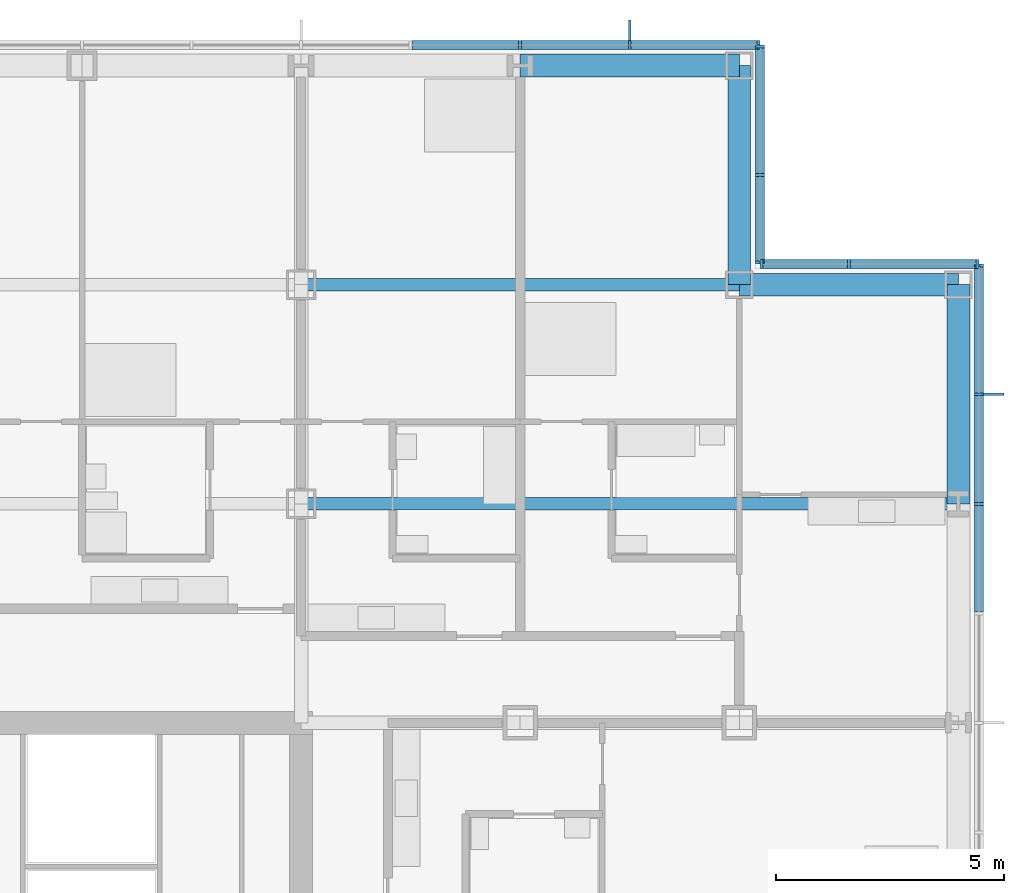
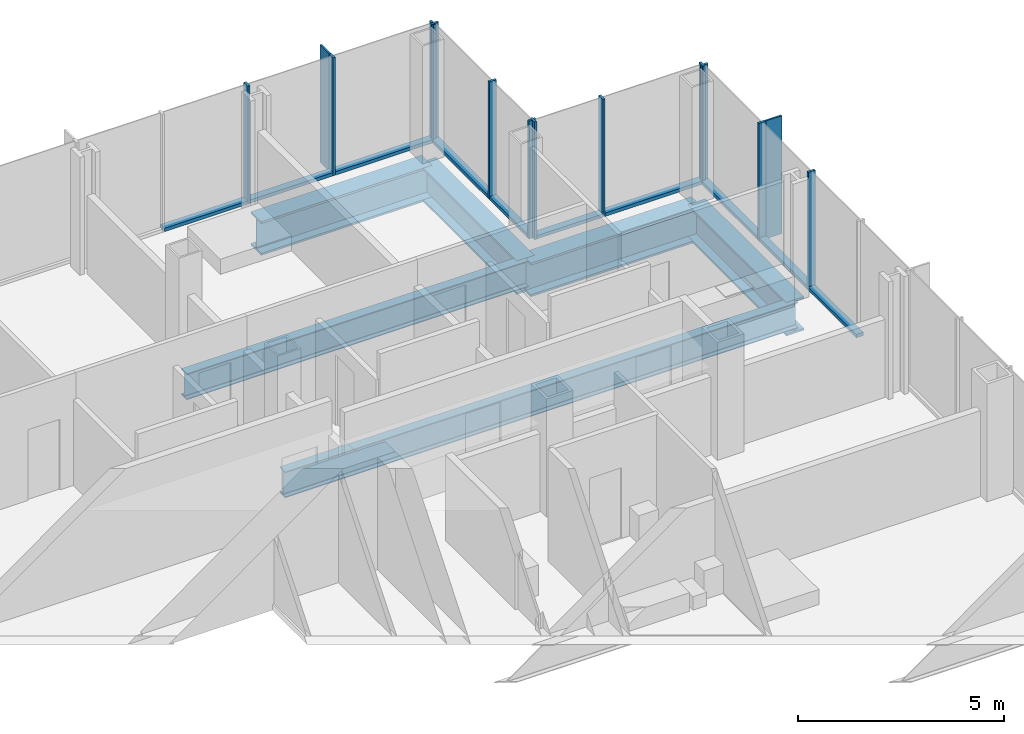
# One storey, part 11 of 21: 24 members, 6 beams, 4 elements without a shape of their own.
"""IFC4 building model written with IfcOpenShell, lengths in metres."""

import ifcopenshell
import ifcopenshell.guid

model = None  # the IFC model being written
_history = None  # IfcOwnerHistory: only IFC2X3 demands one
_inside = {}  # id of a spatial element -> (the spatial element, [elements in it])
_under = {}  # id of a project, library or spatial element -> (it, [spatial elements below it])
_declared = {}  # id of a project -> (the project, [libraries it declares])
_typed = {}  # id of a type object -> (the type object, [elements of that type])
_made_of = {}  # id of a material, layer set ... -> (it, [elements and type objects made of it])


def new_model(schema):
    """Start an empty IFC model of exactly this schema.

    Asked for "IFC4X3", IfcOpenShell would pick the latest addendum, in which some entities
    have other attributes; the version numbers below select the first issue.
    IFC2X3 requires an IfcOwnerHistory on every rooted entity: one is made here for all.
    """
    global model, _history
    if schema == "IFC4X3":
        model = ifcopenshell.file(schema_version=(4, 3, 0, 0))
    else:
        model = ifcopenshell.file(schema=schema)
    _inside.clear()
    _under.clear()
    _declared.clear()
    _typed.clear()
    _made_of.clear()
    _history = None
    if model.schema == "IFC2X3":
        org = make("IfcOrganization", Name="unknown")
        user = make(
            "IfcPersonAndOrganization",
            ThePerson=make("IfcPerson", FamilyName="unknown"),
            TheOrganization=org,
        )
        app = make(
            "IfcApplication",
            ApplicationDeveloper=org,
            Version="unknown",
            ApplicationFullName="unknown",
            ApplicationIdentifier="unknown",
        )
        _history = make(
            "IfcOwnerHistory",
            OwningUser=user,
            OwningApplication=app,
            ChangeAction="ADDED",
            CreationDate=0,
        )
    return model


def make(cls, **values):
    """One entity of the class cls with the attributes given. An attribute that is None is left unset."""
    return model.create_entity(
        cls, **{name: value for name, value in values.items() if value is not None}
    )


def rooted(cls, **values):
    """An entity with a GlobalId (a new one), such as an element, a storey or a relation."""
    return make(cls, GlobalId=ifcopenshell.guid.new(), OwnerHistory=_history, **values)


def si_unit(unit_type, name, prefix=None):
    """IfcSIUnit, for example si_unit("LENGTHUNIT", "METRE", prefix="MILLI")."""
    return make("IfcSIUnit", UnitType=unit_type, Prefix=prefix, Name=name)


def assignment(units):
    """IfcUnitAssignment: the units of a project."""
    return None if units is None else make("IfcUnitAssignment", Units=units)


def point(xyz):
    """IfcCartesianPoint."""
    return None if xyz is None else make("IfcCartesianPoint", Coordinates=xyz)


def direction(xyz):
    """IfcDirection."""
    return None if xyz is None else make("IfcDirection", DirectionRatios=xyz)


def frame(location, z_axis=None, x_axis=None):
    """IfcAxis2Placement3D, a coordinate frame: its origin and axes. An axis left out is left unset."""
    return make(
        "IfcAxis2Placement3D",
        Location=point(location),
        Axis=direction(z_axis),
        RefDirection=direction(x_axis),
    )


def frame_2d(location, x_axis=None):
    """IfcAxis2Placement2D, a coordinate frame in the plane: its origin and x axis."""
    return make(
        "IfcAxis2Placement2D", Location=point(location), RefDirection=direction(x_axis)
    )


def origin():
    """The frame at (0, 0, 0) with its axes left unset."""
    return frame((0.0, 0.0, 0.0))


def origin_2d():
    """The frame at (0, 0) in the plane with its x axis left unset."""
    return frame_2d((0.0, 0.0))


def place(relative_to, where):
    """IfcLocalPlacement: puts the frame where relative to a parent placement (None: the world)."""
    return make(
        "IfcLocalPlacement", PlacementRelTo=relative_to, RelativePlacement=where
    )


def context(
    kind, dimensions, precision=None, world=None, true_north=None, identifier=None
):
    """IfcGeometricRepresentationContext, for example the 3D "Model" context."""
    return make(
        "IfcGeometricRepresentationContext",
        ContextIdentifier=identifier,
        ContextType=kind,
        CoordinateSpaceDimension=dimensions,
        Precision=precision,
        WorldCoordinateSystem=world,
        TrueNorth=true_north,
    )


def subcontext(parent, identifier, kind, view, scale=None):
    """IfcGeometricRepresentationSubContext, for example "Body" below "Model"."""
    return make(
        "IfcGeometricRepresentationSubContext",
        ContextIdentifier=identifier,
        ContextType=kind,
        ParentContext=parent,
        TargetScale=scale,
        TargetView=view,
    )


def project(units=None, contexts=None):
    """IfcProject with its units and contexts."""
    return rooted(
        "IfcProject",
        Name="project",
        RepresentationContexts=contexts,
        UnitsInContext=assignment(units),
    )


def spatial(cls, under=None, at=None, **own):
    """A site, building, storey or space (cls), placed at a placement, below another one or the project."""
    s = rooted(cls, ObjectPlacement=at, **own)
    if under is not None:
        _under.setdefault(under.id(), (under, []))[1].append(s)
    return s


def profile(cls, at=None, kind="AREA", **sizes):
    """A parametric profile (cls). Its sizes go by their IFC names, for example OverallWidth=200.0."""
    return make(cls, ProfileType=kind, Position=at, **sizes)


def rectangle(**sizes):
    """IfcRectangleProfileDef."""
    return profile("IfcRectangleProfileDef", **sizes)


def i_section(**sizes):
    """IfcIShapeProfileDef."""
    return profile("IfcIShapeProfileDef", **sizes)


def extrude(swept, where, along, depth):
    """IfcExtrudedAreaSolid: the profile swept, set in the frame where, extruded along a direction by depth."""
    return make(
        "IfcExtrudedAreaSolid",
        SweptArea=swept,
        Position=where,
        ExtrudedDirection=direction(along),
        Depth=depth,
    )


def shape(context_of_items, identifier, shape_type, items):
    """IfcShapeRepresentation: the items that make up one representation, for example the "Body"."""
    return make(
        "IfcShapeRepresentation",
        ContextOfItems=context_of_items,
        RepresentationIdentifier=identifier,
        RepresentationType=shape_type,
        Items=items,
    )


def material(Name=None, Category=None):
    """IfcMaterial."""
    return make("IfcMaterial", Name=Name, Category=Category)


def material_profile(
    of_material, cross_section, Name=None, Category=None, Priority=None
):
    """IfcMaterialProfile: a cross section and its material."""
    return make(
        "IfcMaterialProfile",
        Name=Name,
        Material=of_material,
        Profile=cross_section,
        Priority=Priority,
        Category=Category,
    )


def profile_set(profiles, Name=None, composite=None):
    """IfcMaterialProfileSet."""
    return make(
        "IfcMaterialProfileSet",
        Name=Name,
        MaterialProfiles=profiles,
        CompositeProfile=composite,
    )


def made_of(thing, what):
    """Note that an element or type object is made of a material, layer set ...; save() writes the relation."""
    if what is not None:
        _made_of.setdefault(what.id(), (what, []))[1].append(thing)
    return thing


def type_object(cls, material=None, **own):
    """A type object (cls), such as IfcWallType, which elements share."""
    return made_of(rooted(cls, **own), material)


def element(
    cls,
    number,
    at=None,
    inside=None,
    cuts=None,
    type_object=None,
    material=None,
    context=None,
    identifier="Body",
    shape_type=None,
    held_by="IfcProductDefinitionShape",
    body=None,
    shapes=None,
    **own,
):
    """One element of the class cls, such as IfcWall. Its Tag is "e" and its number.

    at: its placement. inside: the storey or other place that contains it. cuts: it is an
    opening in that element (IfcRelVoidsElement). A single representation is given by context,
    identifier, shape_type and body (its items); several are given by shapes. held_by: the class
    of the entity that holds the representations. save() writes the other relations.
    """
    e = rooted(cls, Tag="e%d" % number, ObjectPlacement=at, **own)
    if body is not None:
        shapes = [shape(context, identifier, shape_type, body)]
    if shapes is not None:
        e.Representation = make(held_by, Representations=shapes)
    if inside is not None:
        _inside.setdefault(inside.id(), (inside, []))[1].append(e)
    if cuts is not None:
        rooted(
            "IfcRelVoidsElement", RelatingBuildingElement=cuts, RelatedOpeningElement=e
        )
    if type_object is not None:
        _typed.setdefault(type_object.id(), (type_object, []))[1].append(e)
    return made_of(e, material)


def aggregate(whole, parts):
    """IfcRelAggregates: a whole, such as a stair, and the parts it consists of."""
    return rooted("IfcRelAggregates", RelatingObject=whole, RelatedObjects=parts)


def save(model, path):
    """Write the relations noted so far, then the file.

    IfcRelAggregates (storeys below a building ...), IfcRelContainedInSpatialStructure (elements
    in a storey), IfcRelDefinesByType, IfcRelAssociatesMaterial and IfcRelDeclares: one each for
    every whole, place, type object, material and project.
    """
    for whole, parts in _under.values():
        aggregate(whole, parts)
    for where, things in _inside.values():
        rooted(
            "IfcRelContainedInSpatialStructure",
            RelatedElements=things,
            RelatingStructure=where,
        )
    for kind, things in _typed.values():
        rooted("IfcRelDefinesByType", RelatedObjects=things, RelatingType=kind)
    for what, things in _made_of.values():
        rooted("IfcRelAssociatesMaterial", RelatedObjects=things, RelatingMaterial=what)
    for by, libraries in _declared.values():
        rooted("IfcRelDeclares", RelatingContext=by, RelatedDefinitions=libraries)
    model.write(path)


model = new_model("IFC4")

# Units and contexts
model_context = context("Model", 3, precision=1e-05, world=origin(), true_north=direction((0.0, 1.0)))
body_context = subcontext(model_context, "Body", "Model", "MODEL_VIEW")
ifc_project = project(units=[si_unit("LENGTHUNIT", "METRE"), si_unit("AREAUNIT", "SQUARE_METRE"), si_unit("VOLUMEUNIT", "CUBIC_METRE"), si_unit("PLANEANGLEUNIT", "RADIAN"), si_unit("MASSUNIT", "GRAM", prefix="KILO")], contexts=[model_context])

# Site, building, storey
site_placement = place(None, origin())
site = spatial("IfcSite", under=ifc_project, at=site_placement, CompositionType="ELEMENT")
building_placement = place(site_placement, origin())
building = spatial("IfcBuilding", under=site, at=building_placement, Name="Kvirike Care Tower", CompositionType="ELEMENT")
storey_placement = place(building_placement, frame((0.0, 0.0, 37.5)))
storey = spatial("IfcBuildingStorey", under=building, at=storey_placement, Name="L09", CompositionType="ELEMENT", Elevation=37.5)

# Curtain wall, member
ifc_material_1 = material(Name="Anodised aluminium stick system", Category="aluminium")
curtain_wall_type = type_object("IfcCurtainWallType", Name="CW-A STICK CURTAIN WALL", PredefinedType="NOTDEFINED", material=ifc_material_1)
curtain_wall_1_placement = place(storey_placement, origin())
curtain_wall_1 = element("IfcCurtainWall", 1, at=curtain_wall_1_placement, inside=storey, type_object=curtain_wall_type, Name="Curtain wall L09 face 7", PredefinedType="NOTDEFINED")
ifc_material_2 = material(Name="Bronze anodised aluminium fin", Category="aluminium")
ifc_material_profile_1 = material_profile(ifc_material_2, rectangle(XDim=0.050048828125, YDim=0.449951171875, at=origin_2d()), Name="BRONZE FIN 450")
ifc_profile_set_1 = profile_set([ifc_material_profile_1], Name="Bronze anodised aluminium fin")
member_type_1 = type_object("IfcMemberType", Name="BRONZE FIN 450", PredefinedType="USERDEFINED", material=ifc_profile_set_1)
member_1_placement = place(storey_placement, frame((43.97509765625, 50.39990234375, 0.0), z_axis=(0.0, 0.0, 1.0), x_axis=(0.0, 1.0, 0.0)))
member_1 = element("IfcMember", 2, at=member_1_placement, type_object=member_type_1, Name="Bronze fin L09 face 7.14", ObjectType="FIN", PredefinedType="USERDEFINED", context=body_context, shape_type="SweptSolid", body=[
    extrude(rectangle(XDim=0.050048828125, YDim=0.449951171875, at=origin_2d()), origin(), (0.0, 0.0, 1.0), 3.5),
])

curtain_wall_2_placement = place(storey_placement, origin())
curtain_wall_2 = element("IfcCurtainWall", 3, at=curtain_wall_2_placement, inside=storey, type_object=curtain_wall_type, Name="Curtain wall L09 face 10", PredefinedType="NOTDEFINED")
member_2_placement = place(storey_placement, frame((36.0, 58.375, 0.0), z_axis=(0.0, 0.0, 1.0), x_axis=(-1.0, 0.0, 0.0)))
member_2 = element("IfcMember", 4, at=member_2_placement, type_object=member_type_1, Name="Bronze fin L09 face 10.2", ObjectType="FIN", PredefinedType="USERDEFINED", context=body_context, shape_type="SweptSolid", body=[
    extrude(rectangle(XDim=0.050048828125, YDim=0.449951171875, at=origin_2d()), origin(), (0.0, 0.0, 1.0), 3.5),
])

# Member
ifc_material_3 = material(Name="Bronze anodised aluminium mullion", Category="aluminium")
ifc_material_profile_2 = material_profile(ifc_material_3, rectangle(XDim=0.06494140625, YDim=0.199951171875, at=origin_2d()), Name="CW-A MULLION 65x200")
ifc_profile_set_2 = profile_set([ifc_material_profile_2], Name="Bronze anodised aluminium mullion")
member_type_2 = type_object("IfcMemberType", Name="CW-A MULLION 65x200", PredefinedType="MULLION", material=ifc_profile_set_2)
member_3_placement = place(storey_placement, frame((43.64990234375, 48.0, 0.0), z_axis=(0.0, 0.0, 1.0), x_axis=(0.0, 1.0, 0.0)))
member_3 = element("IfcMember", 5, at=member_3_placement, type_object=member_type_2, Name="CW-A mullion L09 face 7.13", PredefinedType="MULLION", context=body_context, shape_type="SweptSolid", body=[
    extrude(rectangle(XDim=0.06494140625, YDim=0.199951171875, at=origin_2d()), origin(), (0.0, 0.0, 1.0), 3.5),
])

member_4_placement = place(storey_placement, frame((43.64990234375, 50.39990234375, 0.0), z_axis=(0.0, 0.0, 1.0), x_axis=(0.0, 1.0, 0.0)))
member_4 = element("IfcMember", 6, at=member_4_placement, type_object=member_type_2, Name="CW-A mullion L09 face 7.14", PredefinedType="MULLION", context=body_context, shape_type="SweptSolid", body=[
    extrude(rectangle(XDim=0.06494140625, YDim=0.199951171875, at=origin_2d()), origin(), (0.0, 0.0, 1.0), 3.5),
])

member_5_placement = place(storey_placement, frame((43.64990234375, 53.217529296875, 0.0), z_axis=(0.0, 0.0, 1.0), x_axis=(0.0, 1.0, 0.0)))
member_5 = element("IfcMember", 7, at=member_5_placement, type_object=member_type_2, Name="CW-A mullion L09 face 7.15", PredefinedType="MULLION", context=body_context, shape_type="SweptSolid", body=[
    extrude(rectangle(XDim=0.06494140625, YDim=0.199951171875, at=origin_2d()), origin(), (0.0, 0.0, 1.0), 3.5),
])

# Curtain wall, members
curtain_wall_3_placement = place(storey_placement, origin())
curtain_wall_3 = element("IfcCurtainWall", 8, at=curtain_wall_3_placement, inside=storey, type_object=curtain_wall_type, Name="Curtain wall L09 face 8", PredefinedType="NOTDEFINED")
member_6_placement = place(storey_placement, frame((43.617431640625, 53.25, 0.0), z_axis=(0.0, 0.0, 1.0), x_axis=(-1.0, 0.0, 0.0)))
member_6 = element("IfcMember", 9, at=member_6_placement, type_object=member_type_2, Name="CW-A mullion L09 face 8.1", PredefinedType="MULLION", context=body_context, shape_type="SweptSolid", body=[
    extrude(rectangle(XDim=0.06494140625, YDim=0.199951171875, at=origin_2d()), origin(), (0.0, 0.0, 1.0), 3.5),
])
member_7_placement = place(storey_placement, frame((40.800048828125, 53.25, 0.0), z_axis=(0.0, 0.0, 1.0), x_axis=(-1.0, 0.0, 0.0)))
member_7 = element("IfcMember", 10, at=member_7_placement, type_object=member_type_2, Name="CW-A mullion L09 face 8.2", PredefinedType="MULLION", context=body_context, shape_type="SweptSolid", body=[
    extrude(rectangle(XDim=0.06494140625, YDim=0.199951171875, at=origin_2d()), origin(), (0.0, 0.0, 1.0), 3.5),
])
member_8_placement = place(storey_placement, frame((38.882568359375, 53.25, 0.0), z_axis=(0.0, 0.0, 1.0), x_axis=(-1.0, 0.0, 0.0)))
member_8 = element("IfcMember", 11, at=member_8_placement, type_object=member_type_2, Name="CW-A mullion L09 face 8.3", PredefinedType="MULLION", context=body_context, shape_type="SweptSolid", body=[
    extrude(rectangle(XDim=0.06494140625, YDim=0.199951171875, at=origin_2d()), origin(), (0.0, 0.0, 1.0), 3.5),
])

curtain_wall_4_placement = place(storey_placement, origin())
curtain_wall_4 = element("IfcCurtainWall", 12, at=curtain_wall_4_placement, inside=storey, type_object=curtain_wall_type, Name="Curtain wall L09 face 9", PredefinedType="NOTDEFINED")
member_9_placement = place(storey_placement, frame((38.85009765625, 53.282470703125, 0.0), z_axis=(0.0, 0.0, 1.0), x_axis=(0.0, 1.0, 0.0)))
member_9 = element("IfcMember", 13, at=member_9_placement, type_object=member_type_2, Name="CW-A mullion L09 face 9.1", PredefinedType="MULLION", context=body_context, shape_type="SweptSolid", body=[
    extrude(rectangle(XDim=0.06494140625, YDim=0.199951171875, at=origin_2d()), origin(), (0.0, 0.0, 1.0), 3.5),
])
member_10_placement = place(storey_placement, frame((38.85009765625, 55.199951171875, 0.0), z_axis=(0.0, 0.0, 1.0), x_axis=(0.0, 1.0, 0.0)))
member_10 = element("IfcMember", 14, at=member_10_placement, type_object=member_type_2, Name="CW-A mullion L09 face 9.2", PredefinedType="MULLION", context=body_context, shape_type="SweptSolid", body=[
    extrude(rectangle(XDim=0.06494140625, YDim=0.199951171875, at=origin_2d()), origin(), (0.0, 0.0, 1.0), 3.5),
])
member_11_placement = place(storey_placement, frame((38.85009765625, 58.017578125, 0.0), z_axis=(0.0, 0.0, 1.0), x_axis=(0.0, 1.0, 0.0)))
member_11 = element("IfcMember", 15, at=member_11_placement, type_object=member_type_2, Name="CW-A mullion L09 face 9.3", PredefinedType="MULLION", context=body_context, shape_type="SweptSolid", body=[
    extrude(rectangle(XDim=0.06494140625, YDim=0.199951171875, at=origin_2d()), origin(), (0.0, 0.0, 1.0), 3.5),
])

# Member
member_12_placement = place(storey_placement, frame((38.8173828125, 58.050048828125, 0.0), z_axis=(0.0, 0.0, 1.0), x_axis=(-1.0, 0.0, 0.0)))
member_12 = element("IfcMember", 16, at=member_12_placement, type_object=member_type_2, Name="CW-A mullion L09 face 10.1", PredefinedType="MULLION", context=body_context, shape_type="SweptSolid", body=[
    extrude(rectangle(XDim=0.06494140625, YDim=0.199951171875, at=origin_2d()), origin(), (0.0, 0.0, 1.0), 3.5),
])

member_13_placement = place(storey_placement, frame((36.0, 58.050048828125, 0.0), z_axis=(0.0, 0.0, 1.0), x_axis=(-1.0, 0.0, 0.0)))
member_13 = element("IfcMember", 17, at=member_13_placement, type_object=member_type_2, Name="CW-A mullion L09 face 10.2", PredefinedType="MULLION", context=body_context, shape_type="SweptSolid", body=[
    extrude(rectangle(XDim=0.06494140625, YDim=0.199951171875, at=origin_2d()), origin(), (0.0, 0.0, 1.0), 3.5),
])

member_14_placement = place(storey_placement, frame((33.60009765625, 58.050048828125, 0.0), z_axis=(0.0, 0.0, 1.0), x_axis=(-1.0, 0.0, 0.0)))
member_14 = element("IfcMember", 18, at=member_14_placement, type_object=member_type_2, Name="CW-A mullion L09 face 10.3", PredefinedType="MULLION", context=body_context, shape_type="SweptSolid", body=[
    extrude(rectangle(XDim=0.06494140625, YDim=0.199951171875, at=origin_2d()), origin(), (0.0, 0.0, 1.0), 3.5),
])

ifc_material_4 = material(Name="Bronze anodised aluminium transom", Category="aluminium")
ifc_material_profile_3 = material_profile(ifc_material_4, rectangle(XDim=0.199951171875, YDim=0.10009765625, at=origin_2d()), Name="CW-A TRANSOM 200x100")
ifc_profile_set_3 = profile_set([ifc_material_profile_3], Name="Bronze anodised aluminium transom")
member_type_3 = type_object("IfcMemberType", Name="CW-A TRANSOM 200x100", PredefinedType="USERDEFINED", material=ifc_profile_set_3)
member_15_placement = place(storey_placement, frame((43.64990234375, 45.632568359375, 0.050048828125), z_axis=(0.0, 1.0, 0.0), x_axis=(-1.0, 0.0, 0.0)))
member_15 = element("IfcMember", 19, at=member_15_placement, type_object=member_type_3, Name="CW-A sill transom L09 face 7.12", ObjectType="TRANSOM", PredefinedType="USERDEFINED", context=body_context, shape_type="SweptSolid", body=[
    extrude(rectangle(XDim=0.199951171875, YDim=0.10009765625, at=origin_2d()), origin(), (0.0, 0.0, 1.0), 2.3349609375),
])

member_16_placement = place(storey_placement, frame((43.64990234375, 48.032470703125, 0.050048828125), z_axis=(0.0, 1.0, 0.0), x_axis=(-1.0, 0.0, 0.0)))
member_16 = element("IfcMember", 20, at=member_16_placement, type_object=member_type_3, Name="CW-A sill transom L09 face 7.13", ObjectType="TRANSOM", PredefinedType="USERDEFINED", context=body_context, shape_type="SweptSolid", body=[
    extrude(rectangle(XDim=0.199951171875, YDim=0.10009765625, at=origin_2d()), origin(), (0.0, 0.0, 1.0), 2.3349609375),
])

member_17_placement = place(storey_placement, frame((43.64990234375, 50.4326171875, 0.050048828125), z_axis=(0.0, 1.0, 0.0), x_axis=(-1.0, 0.0, 0.0)))
member_17 = element("IfcMember", 21, at=member_17_placement, type_object=member_type_3, Name="CW-A sill transom L09 face 7.14", ObjectType="TRANSOM", PredefinedType="USERDEFINED", context=body_context, shape_type="SweptSolid", body=[
    extrude(rectangle(XDim=0.199951171875, YDim=0.10009765625, at=origin_2d()), origin(), (0.0, 0.0, 1.0), 2.75244140625),
])

aggregate(curtain_wall_1, [member_3, member_4, member_1, member_5, member_15, member_16, member_17])

member_18_placement = place(storey_placement, frame((43.5849609375, 53.25, 0.050048828125), z_axis=(-1.0, 0.0, 0.0), x_axis=(0.0, -1.0, 0.0)))
member_18 = element("IfcMember", 22, at=member_18_placement, type_object=member_type_3, Name="CW-A sill transom L09 face 8.1", ObjectType="TRANSOM", PredefinedType="USERDEFINED", context=body_context, shape_type="SweptSolid", body=[
    extrude(rectangle(XDim=0.199951171875, YDim=0.10009765625, at=origin_2d()), origin(), (0.0, 0.0, 1.0), 2.75244140625),
])

member_19_placement = place(storey_placement, frame((40.767578125, 53.25, 0.050048828125), z_axis=(-1.0, 0.0, 0.0), x_axis=(0.0, -1.0, 0.0)))
member_19 = element("IfcMember", 23, at=member_19_placement, type_object=member_type_3, Name="CW-A sill transom L09 face 8.2", ObjectType="TRANSOM", PredefinedType="USERDEFINED", context=body_context, shape_type="SweptSolid", body=[
    extrude(rectangle(XDim=0.199951171875, YDim=0.10009765625, at=origin_2d()), origin(), (0.0, 0.0, 1.0), 1.8525390625),
])

aggregate(curtain_wall_3, [member_6, member_7, member_8, member_18, member_19])

member_20_placement = place(storey_placement, frame((38.85009765625, 53.31494140625, 0.050048828125), z_axis=(0.0, 1.0, 0.0), x_axis=(-1.0, 0.0, 0.0)))
member_20 = element("IfcMember", 24, at=member_20_placement, type_object=member_type_3, Name="CW-A sill transom L09 face 9.1", ObjectType="TRANSOM", PredefinedType="USERDEFINED", context=body_context, shape_type="SweptSolid", body=[
    extrude(rectangle(XDim=0.199951171875, YDim=0.10009765625, at=origin_2d()), origin(), (0.0, 0.0, 1.0), 1.8525390625),
])

member_21_placement = place(storey_placement, frame((38.85009765625, 55.232421875, 0.050048828125), z_axis=(0.0, 1.0, 0.0), x_axis=(-1.0, 0.0, 0.0)))
member_21 = element("IfcMember", 25, at=member_21_placement, type_object=member_type_3, Name="CW-A sill transom L09 face 9.2", ObjectType="TRANSOM", PredefinedType="USERDEFINED", context=body_context, shape_type="SweptSolid", body=[
    extrude(rectangle(XDim=0.199951171875, YDim=0.10009765625, at=origin_2d()), origin(), (0.0, 0.0, 1.0), 2.752685546875),
])

aggregate(curtain_wall_4, [member_9, member_10, member_11, member_20, member_21])

member_22_placement = place(storey_placement, frame((38.784912109375, 58.050048828125, 0.050048828125), z_axis=(-1.0, 0.0, 0.0), x_axis=(0.0, -1.0, 0.0)))
member_22 = element("IfcMember", 26, at=member_22_placement, type_object=member_type_3, Name="CW-A sill transom L09 face 10.1", ObjectType="TRANSOM", PredefinedType="USERDEFINED", context=body_context, shape_type="SweptSolid", body=[
    extrude(rectangle(XDim=0.199951171875, YDim=0.10009765625, at=origin_2d()), origin(), (0.0, 0.0, 1.0), 2.75244140625),
])

member_23_placement = place(storey_placement, frame((35.967529296875, 58.050048828125, 0.050048828125), z_axis=(-1.0, 0.0, 0.0), x_axis=(0.0, -1.0, 0.0)))
member_23 = element("IfcMember", 27, at=member_23_placement, type_object=member_type_3, Name="CW-A sill transom L09 face 10.2", ObjectType="TRANSOM", PredefinedType="USERDEFINED", context=body_context, shape_type="SweptSolid", body=[
    extrude(rectangle(XDim=0.199951171875, YDim=0.10009765625, at=origin_2d()), origin(), (0.0, 0.0, 1.0), 2.3349609375),
])

member_24_placement = place(storey_placement, frame((33.5673828125, 58.050048828125, 0.050048828125), z_axis=(-1.0, 0.0, 0.0), x_axis=(0.0, -1.0, 0.0)))
member_24 = element("IfcMember", 28, at=member_24_placement, type_object=member_type_3, Name="CW-A sill transom L09 face 10.3", ObjectType="TRANSOM", PredefinedType="USERDEFINED", context=body_context, shape_type="SweptSolid", body=[
    extrude(rectangle(XDim=0.199951171875, YDim=0.10009765625, at=origin_2d()), origin(), (0.0, 0.0, 1.0), 2.3349609375),
])

aggregate(curtain_wall_2, [member_12, member_13, member_2, member_14, member_22, member_23, member_24])

# Beams
ifc_material_5 = material(Name="Steel S355", Category="steel")
ifc_material_profile_4 = material_profile(ifc_material_5, i_section(OverallWidth=0.26806640625, OverallDepth=0.77001953125, WebThickness=0.015625, FlangeThickness=0.025390625, FilletRadius=0.01708984375, at=origin_2d()), Name="IPE 750x196")
ifc_profile_set_4 = profile_set([ifc_material_profile_4], Name="Steel S355")
beam_type_1 = type_object("IfcBeamType", Name="FLOOR BEAM IPE 750x196", PredefinedType="BEAM", material=ifc_profile_set_4)
beam_1_placement = place(storey_placement, frame((28.800048828125, 48.0, -0.554931640625), z_axis=(1.0, 0.0, 0.0), x_axis=(0.0, 1.0, 0.0)))
element("IfcBeam", 29, at=beam_1_placement, inside=storey, type_object=beam_type_1, Name="Floor Beam L9-L12 L09", PredefinedType="BEAM", context=body_context, shape_type="SweptSolid", body=[
    extrude(i_section(OverallWidth=0.26806640625, OverallDepth=0.77001953125, WebThickness=0.015625, FlangeThickness=0.025390625, FilletRadius=0.01708984375, at=origin_2d()), origin(), (0.0, 0.0, 1.0), 14.39990234375),
])
beam_2_placement = place(storey_placement, frame((28.800048828125, 52.800048828125, -0.554931640625), z_axis=(1.0, 0.0, 0.0), x_axis=(0.0, 1.0, 0.0)))
element("IfcBeam", 30, at=beam_2_placement, inside=storey, type_object=beam_type_1, Name="Floor Beam M9-M11 L09", PredefinedType="BEAM", context=body_context, shape_type="SweptSolid", body=[
    extrude(i_section(OverallWidth=0.26806640625, OverallDepth=0.77001953125, WebThickness=0.015625, FlangeThickness=0.025390625, FilletRadius=0.01708984375, at=origin_2d()), origin(), (0.0, 0.0, 1.0), 9.599853515625),
])
ifc_material_6 = material(Name="Steel S355", Category="steel")
ifc_material_profile_5 = material_profile(ifc_material_6, i_section(OverallWidth=0.5, OverallDepth=1.0, WebThickness=0.030029296875, FlangeThickness=0.06005859375, at=origin_2d()), Name="PG 1000x500x30x60")
ifc_profile_set_5 = profile_set([ifc_material_profile_5], Name="Steel S355")
beam_type_2 = type_object("IfcBeamType", Name="SPANDREL PG 1000x500x30x60", PredefinedType="SPANDREL", material=ifc_profile_set_5)
beam_3_placement = place(storey_placement, frame((38.39990234375, 52.800048828125, -0.669921875), z_axis=(1.0, 0.0, 0.0), x_axis=(0.0, 1.0, 0.0)))
element("IfcBeam", 31, at=beam_3_placement, inside=storey, type_object=beam_type_2, Name="Spandrel M11-M12 L09", PredefinedType="SPANDREL", context=body_context, shape_type="SweptSolid", body=[
    extrude(i_section(OverallWidth=0.5, OverallDepth=1.0, WebThickness=0.030029296875, FlangeThickness=0.06005859375, at=origin_2d()), origin(), (0.0, 0.0, 1.0), 4.800048828125),
])
beam_4_placement = place(storey_placement, frame((33.60009765625, 57.60009765625, -0.669921875), z_axis=(1.0, 0.0, 0.0), x_axis=(0.0, 1.0, 0.0)))
element("IfcBeam", 32, at=beam_4_placement, inside=storey, type_object=beam_type_2, Name="Spandrel N10-N11 L09", PredefinedType="SPANDREL", context=body_context, shape_type="SweptSolid", body=[
    extrude(i_section(OverallWidth=0.5, OverallDepth=1.0, WebThickness=0.030029296875, FlangeThickness=0.06005859375, at=origin_2d()), origin(), (0.0, 0.0, 1.0), 4.7998046875),
])
for number, where, z_axis, x_axis, name in (
    (33, (38.39990234375, 52.800048828125, -0.669921875), (0.0, 1.0, 0.0), (-1.0, 0.0, 0.0), "Spandrel M11-N11 L09"),
    (34, (43.199951171875, 48.0, -0.669921875), (0.0, 1.0, 0.0), (-1.0, 0.0, 0.0), "Spandrel L12-M12 L09"),
):
    element("IfcBeam", number, at=place(storey_placement, frame(where, z_axis=z_axis, x_axis=x_axis)), inside=storey, type_object=beam_type_2, Name=name, PredefinedType="SPANDREL", context=body_context, shape_type="SweptSolid", body=[
        extrude(i_section(OverallWidth=0.5, OverallDepth=1.0, WebThickness=0.030029296875, FlangeThickness=0.06005859375, at=origin_2d()), origin(), (0.0, 0.0, 1.0), 4.800048828125),
    ])

save(model, "model.ifc")
